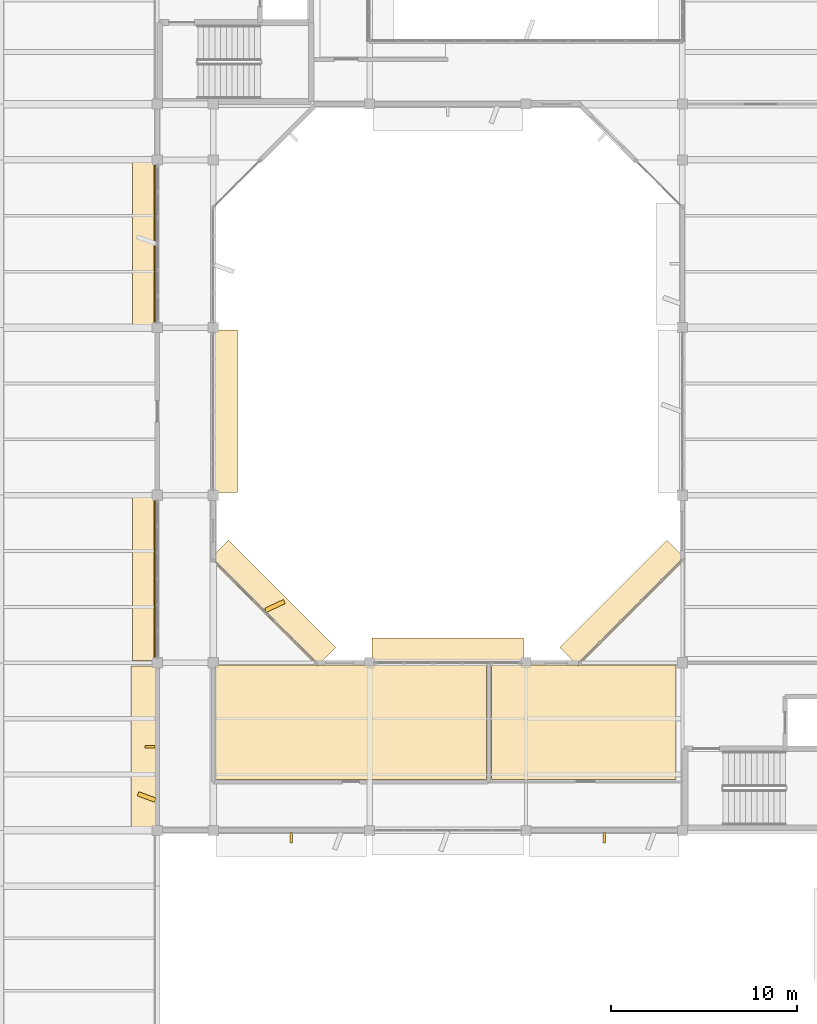
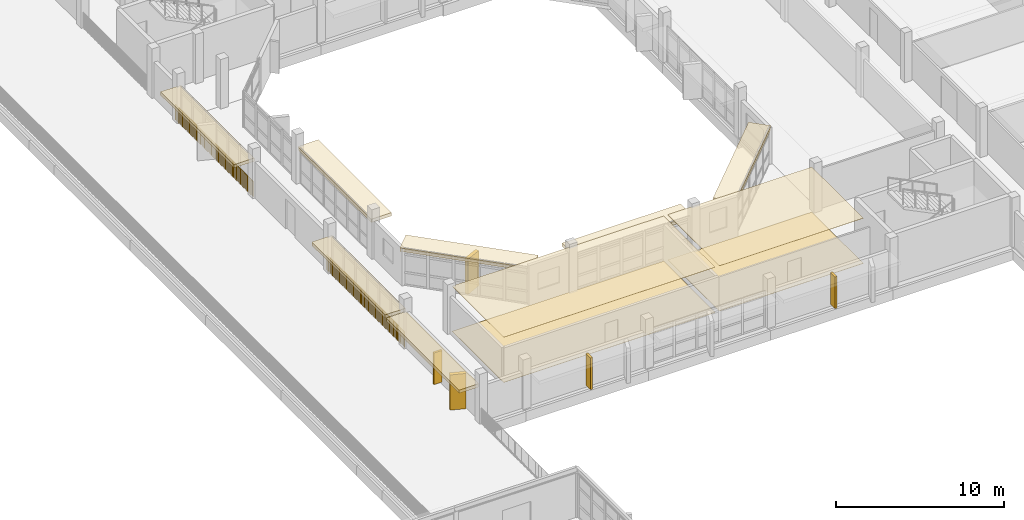
# One storey, part 68 of 92: 13 coverings, 3 shading devices, 2 railings.
"""IFC4 building model written with IfcOpenShell, lengths in metres."""

from ifc_helpers import new_model, si_unit, direction, frame, origin, origin_2d, place, context, subcontext, project, spatial, polyline, rectangle, circle, outline, extrude, material, layer, layer_set, type_object, element, save


model = new_model("IFC4")

# Units and contexts
model_context = context("Model", 3, precision=1e-05, world=origin(), true_north=direction((0.0, 1.0)))
body_context = subcontext(model_context, "Body", "Model", "MODEL_VIEW")
ifc_project = project(units=[si_unit("LENGTHUNIT", "METRE"), si_unit("AREAUNIT", "SQUARE_METRE"), si_unit("VOLUMEUNIT", "CUBIC_METRE"), si_unit("PLANEANGLEUNIT", "RADIAN"), si_unit("MASSUNIT", "GRAM", prefix="KILO")], contexts=[model_context])

# Site, building, storey
site_placement = place(None, origin())
site = spatial("IfcSite", under=ifc_project, at=site_placement, CompositionType="ELEMENT")
building_placement = place(site_placement, origin())
building = spatial("IfcBuilding", under=site, at=building_placement, Name="Vanh Quang Courtyard School", CompositionType="ELEMENT")
storey_placement = place(building_placement, frame((0.0, 0.0, 7.800048828125)))
storey = spatial("IfcBuildingStorey", under=building, at=storey_placement, Name="L02", CompositionType="ELEMENT", Elevation=7.800048828125)

# Coverings
ifc_material_1 = material(Name="Perforated mineral-fibre acoustic ceiling board")
ifc_layer_1 = layer(ifc_material_1, 0.02490234375)
ifc_layer_set_1 = layer_set([ifc_layer_1], Name="Perforated mineral-fibre acoustic ceiling board")
covering_type_1 = type_object("IfcCoveringType", Name="COV-CEIL-ACOUSTIC", PredefinedType="CEILING", material=ifc_layer_set_1)
covering_1_placement = place(storey_placement, frame((0.0, 0.0, 3.27490234375)))
element("IfcCovering", 1, at=covering_1_placement, inside=storey, type_object=covering_type_1, Name="Covering CV-CL1 (L02)", PredefinedType="CEILING", context=body_context, shape_type="SweptSolid", body=[
    extrude(outline(polyline([(55.469970703125, 35.139892578125), (55.469970703125, 35.138916015625), (55.4697265625, 35.137939453125), (55.469482421875, 35.13720703125), (55.46923828125, 35.13623046875), (55.46875, 35.13525390625), (55.46826171875, 35.134521484375), (55.4677734375, 35.1337890625), (55.467041015625, 35.1328125), (55.46630859375, 35.13232421875), (55.465576171875, 35.131591796875), (55.464599609375, 35.131103515625), (55.4638671875, 35.130859375), (55.462890625, 35.13037109375), (55.4619140625, 35.130126953125), (55.4609375, 35.1298828125), (55.4599609375, 35.1298828125), (40.93994140625, 35.1298828125), (40.93896484375, 35.1298828125), (40.93798828125, 35.130126953125), (40.93701171875, 35.13037109375), (40.936279296875, 35.130859375), (40.935302734375, 35.131103515625), (40.934326171875, 35.131591796875), (40.93359375, 35.13232421875), (40.932861328125, 35.1328125), (40.932373046875, 35.1337890625), (40.931640625, 35.134521484375), (40.93115234375, 35.13525390625), (40.930908203125, 35.13623046875), (40.930419921875, 35.13720703125), (40.93017578125, 35.137939453125), (40.929931640625, 35.138916015625), (40.929931640625, 35.139892578125), (40.929931640625, 41.260009765625), (40.929931640625, 41.260986328125), (40.93017578125, 41.261962890625), (40.930419921875, 41.262939453125), (40.930908203125, 41.263916015625), (40.93115234375, 41.2646484375), (40.931640625, 41.265625), (40.932373046875, 41.266357421875), (40.932861328125, 41.26708984375), (40.93359375, 41.267578125), (40.934326171875, 41.268310546875), (40.935302734375, 41.268798828125), (40.936279296875, 41.269287109375), (40.93701171875, 41.26953125), (40.93798828125, 41.269775390625), (40.93896484375, 41.27001953125), (40.93994140625, 41.27001953125), (55.4599609375, 41.27001953125), (55.4609375, 41.27001953125), (55.4619140625, 41.269775390625), (55.462890625, 41.26953125), (55.4638671875, 41.269287109375), (55.464599609375, 41.268798828125), (55.465576171875, 41.268310546875), (55.46630859375, 41.267578125), (55.467041015625, 41.26708984375), (55.4677734375, 41.266357421875), (55.46826171875, 41.265625), (55.46875, 41.2646484375), (55.46923828125, 41.263916015625), (55.469482421875, 41.262939453125), (55.4697265625, 41.261962890625), (55.469970703125, 41.260986328125), (55.469970703125, 41.260009765625), (55.469970703125, 35.139892578125)])), origin(), (0.0, 0.0, 1.0), 0.025146484375),
])
covering_2_placement = place(storey_placement, frame((0.0, 0.0, 3.27490234375)))
element("IfcCovering", 2, at=covering_2_placement, inside=storey, type_object=covering_type_1, Name="Covering CV-CL1 (L02)", PredefinedType="CEILING", context=body_context, shape_type="SweptSolid", body=[
    extrude(outline(polyline([(55.760009765625, 35.1298828125), (55.759033203125, 35.1298828125), (55.758056640625, 35.130126953125), (55.757080078125, 35.13037109375), (55.756103515625, 35.130859375), (55.75537109375, 35.131103515625), (55.75439453125, 35.131591796875), (55.753662109375, 35.13232421875), (55.7529296875, 35.1328125), (55.752197265625, 35.1337890625), (55.751708984375, 35.134521484375), (55.751220703125, 35.13525390625), (55.750732421875, 35.13623046875), (55.75048828125, 35.13720703125), (55.750244140625, 35.137939453125), (55.75, 35.138916015625), (55.75, 35.139892578125), (55.75, 41.260009765625), (55.75, 41.260986328125), (55.750244140625, 41.261962890625), (55.75048828125, 41.262939453125), (55.750732421875, 41.263916015625), (55.751220703125, 41.2646484375), (55.751708984375, 41.265625), (55.752197265625, 41.266357421875), (55.7529296875, 41.26708984375), (55.753662109375, 41.267578125), (55.75439453125, 41.268310546875), (55.75537109375, 41.268798828125), (55.756103515625, 41.269287109375), (55.757080078125, 41.26953125), (55.758056640625, 41.269775390625), (55.759033203125, 41.27001953125), (55.760009765625, 41.27001953125), (65.64990234375, 41.27001953125), (65.64990234375, 35.1298828125), (55.760009765625, 35.1298828125)])), origin(), (0.0, 0.0, 1.0), 0.025146484375),
])
ifc_material_2 = material(Name="Polished cementitious terrazzo tile", Category="concrete")
ifc_layer_2 = layer(ifc_material_2, 0.02001953125)
ifc_layer_set_2 = layer_set([ifc_layer_2], Name="Polished cementitious terrazzo tile")
covering_type_2 = type_object("IfcCoveringType", Name="COV-FLR-TERRAZZO", PredefinedType="FLOORING", material=ifc_layer_set_2)
covering_3_placement = place(storey_placement, origin())
element("IfcCovering", 3, at=covering_3_placement, inside=storey, type_object=covering_type_2, Name="Covering CV-FL1 (L02)", PredefinedType="FLOORING", context=body_context, shape_type="SweptSolid", body=[
    extrude(outline(polyline([(55.469970703125, 35.139892578125), (55.469970703125, 35.138916015625), (55.4697265625, 35.137939453125), (55.469482421875, 35.13720703125), (55.46923828125, 35.13623046875), (55.46875, 35.13525390625), (55.46826171875, 35.134521484375), (55.4677734375, 35.1337890625), (55.467041015625, 35.1328125), (55.46630859375, 35.13232421875), (55.465576171875, 35.131591796875), (55.464599609375, 35.131103515625), (55.4638671875, 35.130859375), (55.462890625, 35.13037109375), (55.4619140625, 35.130126953125), (55.4609375, 35.1298828125), (55.4599609375, 35.1298828125), (40.93994140625, 35.1298828125), (40.93896484375, 35.1298828125), (40.93798828125, 35.130126953125), (40.93701171875, 35.13037109375), (40.936279296875, 35.130859375), (40.935302734375, 35.131103515625), (40.934326171875, 35.131591796875), (40.93359375, 35.13232421875), (40.932861328125, 35.1328125), (40.932373046875, 35.1337890625), (40.931640625, 35.134521484375), (40.93115234375, 35.13525390625), (40.930908203125, 35.13623046875), (40.930419921875, 35.13720703125), (40.93017578125, 35.137939453125), (40.929931640625, 35.138916015625), (40.929931640625, 35.139892578125), (40.929931640625, 41.260009765625), (40.929931640625, 41.260986328125), (40.93017578125, 41.261962890625), (40.930419921875, 41.262939453125), (40.930908203125, 41.263916015625), (40.93115234375, 41.2646484375), (40.931640625, 41.265625), (40.932373046875, 41.266357421875), (40.932861328125, 41.26708984375), (40.93359375, 41.267578125), (40.934326171875, 41.268310546875), (40.935302734375, 41.268798828125), (40.936279296875, 41.269287109375), (40.93701171875, 41.26953125), (40.93798828125, 41.269775390625), (40.93896484375, 41.27001953125), (40.93994140625, 41.27001953125), (55.4599609375, 41.27001953125), (55.4609375, 41.27001953125), (55.4619140625, 41.269775390625), (55.462890625, 41.26953125), (55.4638671875, 41.269287109375), (55.464599609375, 41.268798828125), (55.465576171875, 41.268310546875), (55.46630859375, 41.267578125), (55.467041015625, 41.26708984375), (55.4677734375, 41.266357421875), (55.46826171875, 41.265625), (55.46875, 41.2646484375), (55.46923828125, 41.263916015625), (55.469482421875, 41.262939453125), (55.4697265625, 41.261962890625), (55.469970703125, 41.260986328125), (55.469970703125, 41.260009765625), (55.469970703125, 35.139892578125)])), origin(), (0.0, 0.0, 1.0), 0.02001953125),
])
covering_4_placement = place(storey_placement, origin())
element("IfcCovering", 4, at=covering_4_placement, inside=storey, type_object=covering_type_2, Name="Covering CV-FL1 (L02)", PredefinedType="FLOORING", context=body_context, shape_type="SweptSolid", body=[
    extrude(outline(polyline([(55.760009765625, 35.1298828125), (55.759033203125, 35.1298828125), (55.758056640625, 35.130126953125), (55.757080078125, 35.13037109375), (55.756103515625, 35.130859375), (55.75537109375, 35.131103515625), (55.75439453125, 35.131591796875), (55.753662109375, 35.13232421875), (55.7529296875, 35.1328125), (55.752197265625, 35.1337890625), (55.751708984375, 35.134521484375), (55.751220703125, 35.13525390625), (55.750732421875, 35.13623046875), (55.75048828125, 35.13720703125), (55.750244140625, 35.137939453125), (55.75, 35.138916015625), (55.75, 35.139892578125), (55.75, 41.260009765625), (55.75, 41.260986328125), (55.750244140625, 41.261962890625), (55.75048828125, 41.262939453125), (55.750732421875, 41.263916015625), (55.751220703125, 41.2646484375), (55.751708984375, 41.265625), (55.752197265625, 41.266357421875), (55.7529296875, 41.26708984375), (55.753662109375, 41.267578125), (55.75439453125, 41.268310546875), (55.75537109375, 41.268798828125), (55.756103515625, 41.269287109375), (55.757080078125, 41.26953125), (55.758056640625, 41.269775390625), (55.759033203125, 41.27001953125), (55.760009765625, 41.27001953125), (65.64990234375, 41.27001953125), (65.64990234375, 35.1298828125), (55.760009765625, 35.1298828125)])), origin(), (0.0, 0.0, 1.0), 0.02001953125),
])
ifc_material_3 = material(Name="Board-marked precast concrete C40/50", Category="concrete")
ifc_layer_3 = layer(ifc_material_3, 0.239990234375)
ifc_layer_set_3 = layer_set([ifc_layer_3], Name="Board-marked precast concrete C40/50")
covering_type_3 = type_object("IfcCoveringType", Name="COV-HOOD-CONC", PredefinedType="CLADDING", material=ifc_layer_set_3)
covering_5_placement = place(storey_placement, frame((37.06005859375, 36.89990234375, 2.35986328125), z_axis=(0.0, 0.0, 1.0), x_axis=(0.0, 1.0, 0.0)))
element("IfcCovering", 5, at=covering_5_placement, inside=storey, type_object=covering_type_3, Name="Covering CH-01 (L02)", PredefinedType="CLADDING", context=body_context, shape_type="SweptSolid", body=[
    extrude(rectangle(XDim=8.654052734375, YDim=1.35009765625, at=origin_2d()), origin(), (0.0, 0.0, 1.0), 0.239990234375),
])
covering_6_placement = place(storey_placement, frame((37.22998046875, 34.195556640625, 0.0), z_axis=(0.0, 0.0, 1.0), x_axis=(-0.938009980858, 0.346608245445, 0.0)))
element("IfcCovering", 6, at=covering_6_placement, inside=storey, type_object=covering_type_3, Name="Covering CH-01 (L02)", PredefinedType="CLADDING", context=body_context, shape_type="SweptSolid", body=[
    extrude(rectangle(XDim=0.980712890625, YDim=0.239990234375, at=origin_2d()), origin(), (0.0, 0.0, 1.0), 2.56005859375),
])
for number, where, z_axis, x_axis, name in (
    (7, (37.179931640625, 45.89990234375, 2.35986328125), (0.0, 0.0, 1.0), (0.0, 1.0, 0.0), "Covering CH-01 (L02)"),
    (8, (37.179931640625, 63.89990234375, 2.35986328125), (0.0, 0.0, 1.0), (0.0, 1.0, 0.0), "Covering CH-01 (L02)"),
    (9, (41.419921875, 54.89990234375, 2.35986328125), (0.0, 0.0, 1.0), (0.0, -1.0, 0.0), "Covering CH-01 (L02)"),
):
    element("IfcCovering", number, at=place(storey_placement, frame(where, z_axis=z_axis, x_axis=x_axis)), inside=storey, type_object=covering_type_3, Name=name, PredefinedType="CLADDING", context=body_context, shape_type="SweptSolid", body=[
        extrude(rectangle(XDim=8.73388671875, YDim=1.39990234375, at=origin_2d()), origin(), (0.0, 0.0, 1.0), 0.239990234375),
    ])
covering_7_placement = place(storey_placement, frame((44.010498046875, 44.6103515625, 2.4599609375), z_axis=(0.0, 0.0, 1.0), x_axis=(0.707106781187, -0.707106781187, 0.0)))
element("IfcCovering", 10, at=covering_7_placement, inside=storey, type_object=covering_type_3, Name="Covering CH-01 (L02)", PredefinedType="CLADDING", context=body_context, shape_type="SweptSolid", body=[
    extrude(rectangle(XDim=8.140380859375, YDim=1.39990234375, at=origin_2d()), origin(), (0.0, 0.0, 1.0), 0.239990234375),
])
covering_8_placement = place(storey_placement, frame((44.1201171875, 44.451416015625, 0.0), z_axis=(0.0, 0.0, 1.0), x_axis=(0.905494748453, 0.424357467855, 0.0)))
element("IfcCovering", 11, at=covering_8_placement, inside=storey, type_object=covering_type_3, Name="Covering CH-01 (L02)", PredefinedType="CLADDING", context=body_context, shape_type="SweptSolid", body=[
    extrude(rectangle(XDim=1.11669921875, YDim=0.239990234375, at=origin_2d()), origin(), (0.0, 0.0, 1.0), 2.56005859375),
])
covering_9_placement = place(storey_placement, frame((53.39990234375, 42.02001953125, 2.35986328125), z_axis=(0.0, 0.0, 1.0), x_axis=(1.0, 0.0, 0.0)))
element("IfcCovering", 12, at=covering_9_placement, inside=storey, type_object=covering_type_3, Name="Covering CH-01 (L02)", PredefinedType="CLADDING", context=body_context, shape_type="SweptSolid", body=[
    extrude(rectangle(XDim=8.134033203125, YDim=1.39990234375, at=origin_2d()), origin(), (0.0, 0.0, 1.0), 0.239990234375),
])
covering_10_placement = place(storey_placement, frame((62.78955078125, 44.6103515625, 2.41015625), z_axis=(0.0, 0.0, 1.0), x_axis=(0.707106781187, 0.707106781187, 0.0)))
element("IfcCovering", 13, at=covering_10_placement, inside=storey, type_object=covering_type_3, Name="Covering CH-01 (L02)", PredefinedType="CLADDING", context=body_context, shape_type="SweptSolid", body=[
    extrude(rectangle(XDim=8.140380859375, YDim=1.39990234375, at=origin_2d()), origin(), (0.0, 0.0, 1.0), 0.239990234375),
])

# Railings
ifc_material_4 = material(Name="Galvanised painted steel EN 10025-2 S355J2", Category="steel")
railing_type = type_object("IfcRailingType", Name="RAIL-GUARD-1150", PredefinedType="BALUSTRADE", material=ifc_material_4)
railing_1_placement = place(storey_placement, frame((37.659912109375, 68.5302734375, 0.0)))
element("IfcRailing", 14, at=railing_1_placement, inside=storey, type_object=railing_type, Name="Railing GR-01 (L02)", PredefinedType="BALUSTRADE", context=body_context, shape_type="SweptSolid", body=[
    extrude(circle(Radius=0.02392578125, at=origin_2d()), frame((0.0, 0.0, 1.1259765625), z_axis=(0.0, -1.0, 0.0), x_axis=(1.0, 0.0, 0.0)), (0.0, 0.0, 1.0), 9.260498046875),
    extrude(circle(Radius=0.02099609375, at=origin_2d()), origin(), (0.0, 0.0, 1.0), 1.101806640625),
    extrude(circle(Radius=0.02099609375, at=origin_2d()), frame((0.0, -0.13818359375, 0.0)), (0.0, 0.0, 1.0), 1.101806640625),
    extrude(circle(Radius=0.02099609375, at=origin_2d()), frame((0.0, -0.2763671875, 0.0)), (0.0, 0.0, 1.0), 1.101806640625),
    extrude(circle(Radius=0.02099609375, at=origin_2d()), frame((0.0, -0.41455078125, 0.0)), (0.0, 0.0, 1.0), 1.101806640625),
    extrude(circle(Radius=0.02099609375, at=origin_2d()), frame((0.0, -0.552978515625, 0.0)), (0.0, 0.0, 1.0), 1.101806640625),
    extrude(circle(Radius=0.02099609375, at=origin_2d()), frame((0.0, -0.691162109375, 0.0)), (0.0, 0.0, 1.0), 1.101806640625),
    extrude(circle(Radius=0.02099609375, at=origin_2d()), frame((0.0, -0.829345703125, 0.0)), (0.0, 0.0, 1.0), 1.101806640625),
    extrude(circle(Radius=0.02099609375, at=origin_2d()), frame((0.0, -0.967529296875, 0.0)), (0.0, 0.0, 1.0), 1.101806640625),
    extrude(circle(Radius=0.02099609375, at=origin_2d()), frame((0.0, -1.105712890625, 0.0)), (0.0, 0.0, 1.0), 1.101806640625),
    extrude(circle(Radius=0.02099609375, at=origin_2d()), frame((0.0, -1.243896484375, 0.0)), (0.0, 0.0, 1.0), 1.101806640625),
    extrude(circle(Radius=0.02099609375, at=origin_2d()), frame((0.0, -1.382080078125, 0.0)), (0.0, 0.0, 1.0), 1.101806640625),
    extrude(circle(Radius=0.02099609375, at=origin_2d()), frame((0.0, -1.520263671875, 0.0)), (0.0, 0.0, 1.0), 1.101806640625),
    extrude(circle(Radius=0.02099609375, at=origin_2d()), frame((0.0, -1.65869140625, 0.0)), (0.0, 0.0, 1.0), 1.101806640625),
    extrude(circle(Radius=0.02099609375, at=origin_2d()), frame((0.0, -1.796875, 0.0)), (0.0, 0.0, 1.0), 1.101806640625),
    extrude(circle(Radius=0.02099609375, at=origin_2d()), frame((0.0, -1.93505859375, 0.0)), (0.0, 0.0, 1.0), 1.101806640625),
    extrude(circle(Radius=0.02099609375, at=origin_2d()), frame((0.0, -2.0732421875, 0.0)), (0.0, 0.0, 1.0), 1.101806640625),
    extrude(circle(Radius=0.02099609375, at=origin_2d()), frame((0.0, -2.21142578125, 0.0)), (0.0, 0.0, 1.0), 1.101806640625),
    extrude(circle(Radius=0.02099609375, at=origin_2d()), frame((0.0, -2.349609375, 0.0)), (0.0, 0.0, 1.0), 1.101806640625),
    extrude(circle(Radius=0.02099609375, at=origin_2d()), frame((0.0, -2.48779296875, 0.0)), (0.0, 0.0, 1.0), 1.101806640625),
    extrude(circle(Radius=0.02099609375, at=origin_2d()), frame((0.0, -2.626220703125, 0.0)), (0.0, 0.0, 1.0), 1.101806640625),
    extrude(circle(Radius=0.02099609375, at=origin_2d()), frame((0.0, -2.764404296875, 0.0)), (0.0, 0.0, 1.0), 1.101806640625),
    extrude(circle(Radius=0.02099609375, at=origin_2d()), frame((0.0, -2.902587890625, 0.0)), (0.0, 0.0, 1.0), 1.101806640625),
    extrude(circle(Radius=0.02099609375, at=origin_2d()), frame((0.0, -3.040771484375, 0.0)), (0.0, 0.0, 1.0), 1.101806640625),
    extrude(circle(Radius=0.02099609375, at=origin_2d()), frame((0.0, -3.178955078125, 0.0)), (0.0, 0.0, 1.0), 1.101806640625),
    extrude(circle(Radius=0.02099609375, at=origin_2d()), frame((0.0, -3.317138671875, 0.0)), (0.0, 0.0, 1.0), 1.101806640625),
    extrude(circle(Radius=0.02099609375, at=origin_2d()), frame((0.0, -3.455322265625, 0.0)), (0.0, 0.0, 1.0), 1.101806640625),
    extrude(circle(Radius=0.02099609375, at=origin_2d()), frame((0.0, -3.593505859375, 0.0)), (0.0, 0.0, 1.0), 1.101806640625),
    extrude(circle(Radius=0.02099609375, at=origin_2d()), frame((0.0, -3.73193359375, 0.0)), (0.0, 0.0, 1.0), 1.101806640625),
    extrude(circle(Radius=0.02099609375, at=origin_2d()), frame((0.0, -3.8701171875, 0.0)), (0.0, 0.0, 1.0), 1.101806640625),
    extrude(circle(Radius=0.02099609375, at=origin_2d()), frame((0.0, -4.00830078125, 0.0)), (0.0, 0.0, 1.0), 1.101806640625),
    extrude(circle(Radius=0.02099609375, at=origin_2d()), frame((0.0, -4.146484375, 0.0)), (0.0, 0.0, 1.0), 1.101806640625),
    extrude(circle(Radius=0.02099609375, at=origin_2d()), frame((0.0, -4.28466796875, 0.0)), (0.0, 0.0, 1.0), 1.101806640625),
    extrude(circle(Radius=0.02099609375, at=origin_2d()), frame((0.0, -4.4228515625, 0.0)), (0.0, 0.0, 1.0), 1.101806640625),
    extrude(circle(Radius=0.02099609375, at=origin_2d()), frame((0.0, -4.56103515625, 0.0)), (0.0, 0.0, 1.0), 1.101806640625),
    extrude(circle(Radius=0.02099609375, at=origin_2d()), frame((0.0, -4.699462890625, 0.0)), (0.0, 0.0, 1.0), 1.101806640625),
    extrude(circle(Radius=0.02099609375, at=origin_2d()), frame((0.0, -4.837646484375, 0.0)), (0.0, 0.0, 1.0), 1.101806640625),
    extrude(circle(Radius=0.02099609375, at=origin_2d()), frame((0.0, -4.975830078125, 0.0)), (0.0, 0.0, 1.0), 1.101806640625),
    extrude(circle(Radius=0.02099609375, at=origin_2d()), frame((0.0, -5.114013671875, 0.0)), (0.0, 0.0, 1.0), 1.101806640625),
    extrude(circle(Radius=0.02099609375, at=origin_2d()), frame((0.0, -5.252197265625, 0.0)), (0.0, 0.0, 1.0), 1.101806640625),
    extrude(circle(Radius=0.02099609375, at=origin_2d()), frame((0.0, -5.390380859375, 0.0)), (0.0, 0.0, 1.0), 1.101806640625),
    extrude(circle(Radius=0.02099609375, at=origin_2d()), frame((0.0, -5.528564453125, 0.0)), (0.0, 0.0, 1.0), 1.101806640625),
    extrude(circle(Radius=0.02099609375, at=origin_2d()), frame((0.0, -5.6669921875, 0.0)), (0.0, 0.0, 1.0), 1.101806640625),
    extrude(circle(Radius=0.02099609375, at=origin_2d()), frame((0.0, -5.80517578125, 0.0)), (0.0, 0.0, 1.0), 1.101806640625),
    extrude(circle(Radius=0.02099609375, at=origin_2d()), frame((0.0, -5.943359375, 0.0)), (0.0, 0.0, 1.0), 1.101806640625),
    extrude(circle(Radius=0.02099609375, at=origin_2d()), frame((0.0, -6.08154296875, 0.0)), (0.0, 0.0, 1.0), 1.101806640625),
    extrude(circle(Radius=0.02099609375, at=origin_2d()), frame((0.0, -6.2197265625, 0.0)), (0.0, 0.0, 1.0), 1.101806640625),
    extrude(circle(Radius=0.02099609375, at=origin_2d()), frame((0.0, -6.35791015625, 0.0)), (0.0, 0.0, 1.0), 1.101806640625),
    extrude(circle(Radius=0.02099609375, at=origin_2d()), frame((0.0, -6.49609375, 0.0)), (0.0, 0.0, 1.0), 1.101806640625),
    extrude(circle(Radius=0.02099609375, at=origin_2d()), frame((0.0, -6.63427734375, 0.0)), (0.0, 0.0, 1.0), 1.101806640625),
    extrude(circle(Radius=0.02099609375, at=origin_2d()), frame((0.0, -6.772705078125, 0.0)), (0.0, 0.0, 1.0), 1.101806640625),
    extrude(circle(Radius=0.02099609375, at=origin_2d()), frame((0.0, -6.910888671875, 0.0)), (0.0, 0.0, 1.0), 1.101806640625),
    extrude(circle(Radius=0.02099609375, at=origin_2d()), frame((0.0, -7.049072265625, 0.0)), (0.0, 0.0, 1.0), 1.101806640625),
    extrude(circle(Radius=0.02099609375, at=origin_2d()), frame((0.0, -7.187255859375, 0.0)), (0.0, 0.0, 1.0), 1.101806640625),
    extrude(circle(Radius=0.02099609375, at=origin_2d()), frame((0.0, -7.325439453125, 0.0)), (0.0, 0.0, 1.0), 1.101806640625),
    extrude(circle(Radius=0.02099609375, at=origin_2d()), frame((0.0, -7.463623046875, 0.0)), (0.0, 0.0, 1.0), 1.101806640625),
    extrude(circle(Radius=0.02099609375, at=origin_2d()), frame((0.0, -7.601806640625, 0.0)), (0.0, 0.0, 1.0), 1.101806640625),
    extrude(circle(Radius=0.02099609375, at=origin_2d()), frame((0.0, -7.740234375, 0.0)), (0.0, 0.0, 1.0), 1.101806640625),
    extrude(circle(Radius=0.02099609375, at=origin_2d()), frame((0.0, -7.87841796875, 0.0)), (0.0, 0.0, 1.0), 1.101806640625),
    extrude(circle(Radius=0.02099609375, at=origin_2d()), frame((0.0, -8.0166015625, 0.0)), (0.0, 0.0, 1.0), 1.101806640625),
    extrude(circle(Radius=0.02099609375, at=origin_2d()), frame((0.0, -8.15478515625, 0.0)), (0.0, 0.0, 1.0), 1.101806640625),
    extrude(circle(Radius=0.02099609375, at=origin_2d()), frame((0.0, -8.29296875, 0.0)), (0.0, 0.0, 1.0), 1.101806640625),
    extrude(circle(Radius=0.02099609375, at=origin_2d()), frame((0.0, -8.43115234375, 0.0)), (0.0, 0.0, 1.0), 1.101806640625),
    extrude(circle(Radius=0.02099609375, at=origin_2d()), frame((0.0, -8.5693359375, 0.0)), (0.0, 0.0, 1.0), 1.101806640625),
    extrude(circle(Radius=0.02099609375, at=origin_2d()), frame((0.0, -8.70751953125, 0.0)), (0.0, 0.0, 1.0), 1.101806640625),
    extrude(circle(Radius=0.02099609375, at=origin_2d()), frame((0.0, -8.845947265625, 0.0)), (0.0, 0.0, 1.0), 1.101806640625),
    extrude(circle(Radius=0.02099609375, at=origin_2d()), frame((0.0, -8.984130859375, 0.0)), (0.0, 0.0, 1.0), 1.101806640625),
    extrude(circle(Radius=0.02099609375, at=origin_2d()), frame((0.0, -9.122314453125, 0.0)), (0.0, 0.0, 1.0), 1.101806640625),
    extrude(circle(Radius=0.02099609375, at=origin_2d()), frame((0.0, -9.260498046875, 0.0)), (0.0, 0.0, 1.0), 1.101806640625),
])
railing_2_placement = place(storey_placement, frame((37.659912109375, 50.5302734375, 0.0)))
element("IfcRailing", 15, at=railing_2_placement, inside=storey, type_object=railing_type, Name="Railing GR-01 (L02)", PredefinedType="BALUSTRADE", context=body_context, shape_type="SweptSolid", body=[
    extrude(circle(Radius=0.02392578125, at=origin_2d()), frame((0.0, 0.0, 1.1259765625), z_axis=(0.0, -1.0, 0.0), x_axis=(1.0, 0.0, 0.0)), (0.0, 0.0, 1.0), 9.260498046875),
    extrude(circle(Radius=0.02099609375, at=origin_2d()), origin(), (0.0, 0.0, 1.0), 1.101806640625),
    extrude(circle(Radius=0.02099609375, at=origin_2d()), frame((0.0, -0.13818359375, 0.0)), (0.0, 0.0, 1.0), 1.101806640625),
    extrude(circle(Radius=0.02099609375, at=origin_2d()), frame((0.0, -0.2763671875, 0.0)), (0.0, 0.0, 1.0), 1.101806640625),
    extrude(circle(Radius=0.02099609375, at=origin_2d()), frame((0.0, -0.41455078125, 0.0)), (0.0, 0.0, 1.0), 1.101806640625),
    extrude(circle(Radius=0.02099609375, at=origin_2d()), frame((0.0, -0.552978515625, 0.0)), (0.0, 0.0, 1.0), 1.101806640625),
    extrude(circle(Radius=0.02099609375, at=origin_2d()), frame((0.0, -0.691162109375, 0.0)), (0.0, 0.0, 1.0), 1.101806640625),
    extrude(circle(Radius=0.02099609375, at=origin_2d()), frame((0.0, -0.829345703125, 0.0)), (0.0, 0.0, 1.0), 1.101806640625),
    extrude(circle(Radius=0.02099609375, at=origin_2d()), frame((0.0, -0.967529296875, 0.0)), (0.0, 0.0, 1.0), 1.101806640625),
    extrude(circle(Radius=0.02099609375, at=origin_2d()), frame((0.0, -1.105712890625, 0.0)), (0.0, 0.0, 1.0), 1.101806640625),
    extrude(circle(Radius=0.02099609375, at=origin_2d()), frame((0.0, -1.243896484375, 0.0)), (0.0, 0.0, 1.0), 1.101806640625),
    extrude(circle(Radius=0.02099609375, at=origin_2d()), frame((0.0, -1.382080078125, 0.0)), (0.0, 0.0, 1.0), 1.101806640625),
    extrude(circle(Radius=0.02099609375, at=origin_2d()), frame((0.0, -1.520263671875, 0.0)), (0.0, 0.0, 1.0), 1.101806640625),
    extrude(circle(Radius=0.02099609375, at=origin_2d()), frame((0.0, -1.65869140625, 0.0)), (0.0, 0.0, 1.0), 1.101806640625),
    extrude(circle(Radius=0.02099609375, at=origin_2d()), frame((0.0, -1.796875, 0.0)), (0.0, 0.0, 1.0), 1.101806640625),
    extrude(circle(Radius=0.02099609375, at=origin_2d()), frame((0.0, -1.93505859375, 0.0)), (0.0, 0.0, 1.0), 1.101806640625),
    extrude(circle(Radius=0.02099609375, at=origin_2d()), frame((0.0, -2.0732421875, 0.0)), (0.0, 0.0, 1.0), 1.101806640625),
    extrude(circle(Radius=0.02099609375, at=origin_2d()), frame((0.0, -2.21142578125, 0.0)), (0.0, 0.0, 1.0), 1.101806640625),
    extrude(circle(Radius=0.02099609375, at=origin_2d()), frame((0.0, -2.349609375, 0.0)), (0.0, 0.0, 1.0), 1.101806640625),
    extrude(circle(Radius=0.02099609375, at=origin_2d()), frame((0.0, -2.48779296875, 0.0)), (0.0, 0.0, 1.0), 1.101806640625),
    extrude(circle(Radius=0.02099609375, at=origin_2d()), frame((0.0, -2.626220703125, 0.0)), (0.0, 0.0, 1.0), 1.101806640625),
    extrude(circle(Radius=0.02099609375, at=origin_2d()), frame((0.0, -2.764404296875, 0.0)), (0.0, 0.0, 1.0), 1.101806640625),
    extrude(circle(Radius=0.02099609375, at=origin_2d()), frame((0.0, -2.902587890625, 0.0)), (0.0, 0.0, 1.0), 1.101806640625),
    extrude(circle(Radius=0.02099609375, at=origin_2d()), frame((0.0, -3.040771484375, 0.0)), (0.0, 0.0, 1.0), 1.101806640625),
    extrude(circle(Radius=0.02099609375, at=origin_2d()), frame((0.0, -3.178955078125, 0.0)), (0.0, 0.0, 1.0), 1.101806640625),
    extrude(circle(Radius=0.02099609375, at=origin_2d()), frame((0.0, -3.317138671875, 0.0)), (0.0, 0.0, 1.0), 1.101806640625),
    extrude(circle(Radius=0.02099609375, at=origin_2d()), frame((0.0, -3.455322265625, 0.0)), (0.0, 0.0, 1.0), 1.101806640625),
    extrude(circle(Radius=0.02099609375, at=origin_2d()), frame((0.0, -3.593505859375, 0.0)), (0.0, 0.0, 1.0), 1.101806640625),
    extrude(circle(Radius=0.02099609375, at=origin_2d()), frame((0.0, -3.73193359375, 0.0)), (0.0, 0.0, 1.0), 1.101806640625),
    extrude(circle(Radius=0.02099609375, at=origin_2d()), frame((0.0, -3.8701171875, 0.0)), (0.0, 0.0, 1.0), 1.101806640625),
    extrude(circle(Radius=0.02099609375, at=origin_2d()), frame((0.0, -4.00830078125, 0.0)), (0.0, 0.0, 1.0), 1.101806640625),
    extrude(circle(Radius=0.02099609375, at=origin_2d()), frame((0.0, -4.146484375, 0.0)), (0.0, 0.0, 1.0), 1.101806640625),
    extrude(circle(Radius=0.02099609375, at=origin_2d()), frame((0.0, -4.28466796875, 0.0)), (0.0, 0.0, 1.0), 1.101806640625),
    extrude(circle(Radius=0.02099609375, at=origin_2d()), frame((0.0, -4.4228515625, 0.0)), (0.0, 0.0, 1.0), 1.101806640625),
    extrude(circle(Radius=0.02099609375, at=origin_2d()), frame((0.0, -4.56103515625, 0.0)), (0.0, 0.0, 1.0), 1.101806640625),
    extrude(circle(Radius=0.02099609375, at=origin_2d()), frame((0.0, -4.699462890625, 0.0)), (0.0, 0.0, 1.0), 1.101806640625),
    extrude(circle(Radius=0.02099609375, at=origin_2d()), frame((0.0, -4.837646484375, 0.0)), (0.0, 0.0, 1.0), 1.101806640625),
    extrude(circle(Radius=0.02099609375, at=origin_2d()), frame((0.0, -4.975830078125, 0.0)), (0.0, 0.0, 1.0), 1.101806640625),
    extrude(circle(Radius=0.02099609375, at=origin_2d()), frame((0.0, -5.114013671875, 0.0)), (0.0, 0.0, 1.0), 1.101806640625),
    extrude(circle(Radius=0.02099609375, at=origin_2d()), frame((0.0, -5.252197265625, 0.0)), (0.0, 0.0, 1.0), 1.101806640625),
    extrude(circle(Radius=0.02099609375, at=origin_2d()), frame((0.0, -5.390380859375, 0.0)), (0.0, 0.0, 1.0), 1.101806640625),
    extrude(circle(Radius=0.02099609375, at=origin_2d()), frame((0.0, -5.528564453125, 0.0)), (0.0, 0.0, 1.0), 1.101806640625),
    extrude(circle(Radius=0.02099609375, at=origin_2d()), frame((0.0, -5.6669921875, 0.0)), (0.0, 0.0, 1.0), 1.101806640625),
    extrude(circle(Radius=0.02099609375, at=origin_2d()), frame((0.0, -5.80517578125, 0.0)), (0.0, 0.0, 1.0), 1.101806640625),
    extrude(circle(Radius=0.02099609375, at=origin_2d()), frame((0.0, -5.943359375, 0.0)), (0.0, 0.0, 1.0), 1.101806640625),
    extrude(circle(Radius=0.02099609375, at=origin_2d()), frame((0.0, -6.08154296875, 0.0)), (0.0, 0.0, 1.0), 1.101806640625),
    extrude(circle(Radius=0.02099609375, at=origin_2d()), frame((0.0, -6.2197265625, 0.0)), (0.0, 0.0, 1.0), 1.101806640625),
    extrude(circle(Radius=0.02099609375, at=origin_2d()), frame((0.0, -6.35791015625, 0.0)), (0.0, 0.0, 1.0), 1.101806640625),
    extrude(circle(Radius=0.02099609375, at=origin_2d()), frame((0.0, -6.49609375, 0.0)), (0.0, 0.0, 1.0), 1.101806640625),
    extrude(circle(Radius=0.02099609375, at=origin_2d()), frame((0.0, -6.63427734375, 0.0)), (0.0, 0.0, 1.0), 1.101806640625),
    extrude(circle(Radius=0.02099609375, at=origin_2d()), frame((0.0, -6.772705078125, 0.0)), (0.0, 0.0, 1.0), 1.101806640625),
    extrude(circle(Radius=0.02099609375, at=origin_2d()), frame((0.0, -6.910888671875, 0.0)), (0.0, 0.0, 1.0), 1.101806640625),
    extrude(circle(Radius=0.02099609375, at=origin_2d()), frame((0.0, -7.049072265625, 0.0)), (0.0, 0.0, 1.0), 1.101806640625),
    extrude(circle(Radius=0.02099609375, at=origin_2d()), frame((0.0, -7.187255859375, 0.0)), (0.0, 0.0, 1.0), 1.101806640625),
    extrude(circle(Radius=0.02099609375, at=origin_2d()), frame((0.0, -7.325439453125, 0.0)), (0.0, 0.0, 1.0), 1.101806640625),
    extrude(circle(Radius=0.02099609375, at=origin_2d()), frame((0.0, -7.463623046875, 0.0)), (0.0, 0.0, 1.0), 1.101806640625),
    extrude(circle(Radius=0.02099609375, at=origin_2d()), frame((0.0, -7.601806640625, 0.0)), (0.0, 0.0, 1.0), 1.101806640625),
    extrude(circle(Radius=0.02099609375, at=origin_2d()), frame((0.0, -7.740234375, 0.0)), (0.0, 0.0, 1.0), 1.101806640625),
    extrude(circle(Radius=0.02099609375, at=origin_2d()), frame((0.0, -7.87841796875, 0.0)), (0.0, 0.0, 1.0), 1.101806640625),
    extrude(circle(Radius=0.02099609375, at=origin_2d()), frame((0.0, -8.0166015625, 0.0)), (0.0, 0.0, 1.0), 1.101806640625),
    extrude(circle(Radius=0.02099609375, at=origin_2d()), frame((0.0, -8.15478515625, 0.0)), (0.0, 0.0, 1.0), 1.101806640625),
    extrude(circle(Radius=0.02099609375, at=origin_2d()), frame((0.0, -8.29296875, 0.0)), (0.0, 0.0, 1.0), 1.101806640625),
    extrude(circle(Radius=0.02099609375, at=origin_2d()), frame((0.0, -8.43115234375, 0.0)), (0.0, 0.0, 1.0), 1.101806640625),
    extrude(circle(Radius=0.02099609375, at=origin_2d()), frame((0.0, -8.5693359375, 0.0)), (0.0, 0.0, 1.0), 1.101806640625),
    extrude(circle(Radius=0.02099609375, at=origin_2d()), frame((0.0, -8.70751953125, 0.0)), (0.0, 0.0, 1.0), 1.101806640625),
    extrude(circle(Radius=0.02099609375, at=origin_2d()), frame((0.0, -8.845947265625, 0.0)), (0.0, 0.0, 1.0), 1.101806640625),
    extrude(circle(Radius=0.02099609375, at=origin_2d()), frame((0.0, -8.984130859375, 0.0)), (0.0, 0.0, 1.0), 1.101806640625),
    extrude(circle(Radius=0.02099609375, at=origin_2d()), frame((0.0, -9.122314453125, 0.0)), (0.0, 0.0, 1.0), 1.101806640625),
    extrude(circle(Radius=0.02099609375, at=origin_2d()), frame((0.0, -9.260498046875, 0.0)), (0.0, 0.0, 1.0), 1.101806640625),
])

# Shading devices
shading_device_type = type_object("IfcShadingDeviceType", Name="SHD-FIN-CONCRETE", PredefinedType="USERDEFINED", material=ifc_material_3)
for number, where, z_axis, x_axis, name in (
    (16, (61.800048828125, 32.0048828125, 0.14990234375), (0.0, 0.0, 1.0), (-1.0, 0.0, 0.0), "Solar Shading SH-02 (L02)"),
    (17, (45.0, 32.0048828125, 0.14990234375), (0.0, 0.0, 1.0), (-1.0, 0.0, 0.0), "Solar Shading SH-02 (L02)"),
    (18, (37.405029296875, 36.89990234375, 0.14990234375), (0.0, 0.0, 1.0), (0.0, 1.0, 0.0), "Solar Shading SH-02 (L02)"),
):
    element("IfcShadingDevice", number, at=place(storey_placement, frame(where, z_axis=z_axis, x_axis=x_axis)), inside=storey, type_object=shading_device_type, Name=name, ObjectType="Solar Shading SH-02 (L02)", PredefinedType="USERDEFINED", context=body_context, shape_type="SweptSolid", body=[
        extrude(rectangle(XDim=0.139892578125, YDim=0.550048828125, at=origin_2d()), origin(), (0.0, 0.0, 1.0), 2.300048828125),
    ])

save(model, "model.ifc")
